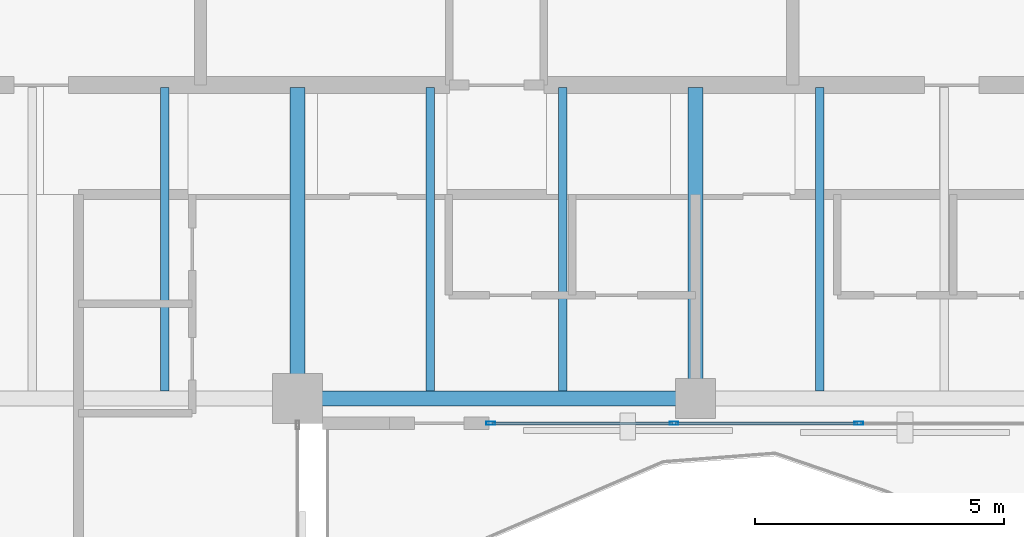
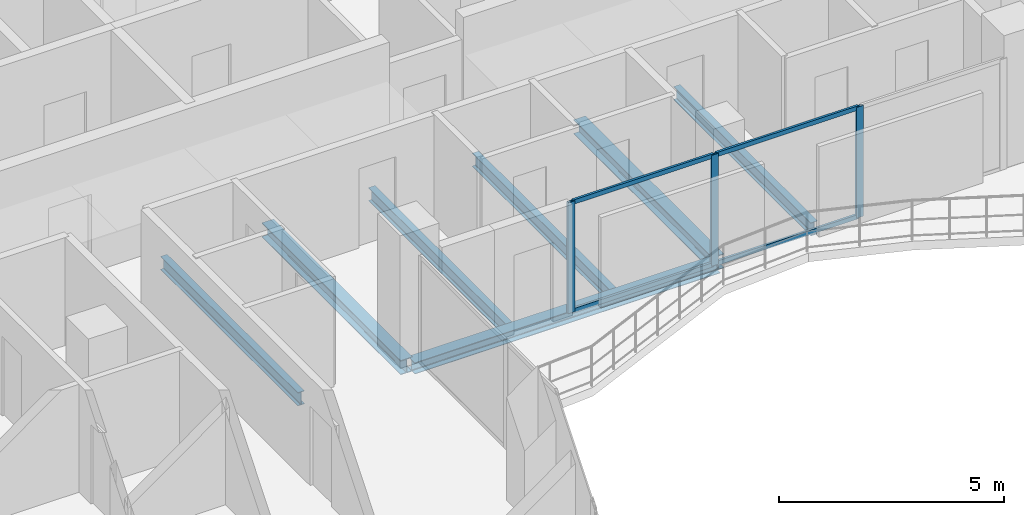
# One storey, part 11 of 24: 7 beams, 7 members, 1 element without a shape of its own.
"""IFC4 building model written with IfcOpenShell, lengths in metres."""

from ifc_helpers import new_model, si_unit, direction, frame, origin, origin_2d, place, context, subcontext, project, spatial, hollow_rectangle, i_section, extrude, material, layer, layer_set, material_profile, profile_set, type_object, element, aggregate, save


model = new_model("IFC4")

# Units and contexts
model_context = context("Model", 3, precision=1e-05, world=origin(), true_north=direction((0.0, 1.0)))
body_context = subcontext(model_context, "Body", "Model", "MODEL_VIEW")
ifc_project = project(units=[si_unit("LENGTHUNIT", "METRE"), si_unit("AREAUNIT", "SQUARE_METRE"), si_unit("VOLUMEUNIT", "CUBIC_METRE"), si_unit("PLANEANGLEUNIT", "RADIAN"), si_unit("MASSUNIT", "GRAM", prefix="KILO")], contexts=[model_context])

# Site, building, storey
site_placement = place(None, origin())
site = spatial("IfcSite", under=ifc_project, at=site_placement, CompositionType="ELEMENT")
building_placement = place(site_placement, origin())
building = spatial("IfcBuilding", under=site, at=building_placement, Name="Catumbela Crestline Tower", CompositionType="ELEMENT")
storey_placement = place(building_placement, frame((0.0, 0.0, 161.4)))
storey = spatial("IfcBuildingStorey", under=building, at=storey_placement, Name="L41", CompositionType="ELEMENT", Elevation=161.4)

# Beams
ifc_material_1 = material(Name="Structural steel S355J2", Category="steel")
ifc_material_profile_1 = material_profile(ifc_material_1, i_section(OverallWidth=0.3, OverallDepth=0.39, WebThickness=0.011, FlangeThickness=0.019, FilletRadius=0.027, at=origin_2d()), Name="HEA 400")
ifc_profile_set_1 = profile_set([ifc_material_profile_1], Name="Structural steel S355J2")
beam_type_1 = type_object("IfcBeamType", Name="BG-HEA400", PredefinedType="BEAM", material=ifc_profile_set_1)
for number, where, z_axis, x_axis, name in (
    (1, (24.0, 24.58, -0.455), (0.0, 1.0, 0.0), (-1.0, 0.0, 0.0), "L41 Beam BM-L41-SNS18"),
    (2, (32.0, 24.58, -0.455), (0.0, 1.0, 0.0), (-1.0, 0.0, 0.0), "L41 Beam BM-L41-SNS19"),
):
    element("IfcBeam", number, at=place(storey_placement, frame(where, z_axis=z_axis, x_axis=x_axis)), inside=storey, type_object=beam_type_1, Name=name, PredefinedType="BEAM", context=body_context, shape_type="SweptSolid", body=[
        extrude(i_section(OverallWidth=0.3, OverallDepth=0.39, WebThickness=0.011, FlangeThickness=0.019, FilletRadius=0.027, at=origin_2d()), origin(), (0.0, 0.0, 1.0), 6.17),
    ])
ifc_material_profile_2 = material_profile(ifc_material_1, i_section(OverallWidth=0.17, OverallDepth=0.36, WebThickness=0.008, FlangeThickness=0.0127, FilletRadius=0.018, at=origin_2d()), Name="IPE 360")
ifc_profile_set_2 = profile_set([ifc_material_profile_2], Name="Structural steel S355J2")
beam_type_2 = type_object("IfcBeamType", Name="BJ-IPE360", PredefinedType="JOIST", material=ifc_profile_set_2)
for number, where, z_axis, x_axis, name in (
    (3, (21.333, 24.647, -0.44), (0.0, 1.0, 0.0), (-1.0, 0.0, 0.0), "L41 Joist JS-L41-SP27"),
    (4, (26.667, 24.647, -0.44), (0.0, 1.0, 0.0), (-1.0, 0.0, 0.0), "L41 Joist JS-L41-SP28"),
    (5, (29.333, 24.647, -0.44), (0.0, 1.0, 0.0), (-1.0, 0.0, 0.0), "L41 Joist JS-L41-SP29"),
    (6, (34.5, 24.647, -0.44), (0.0, 1.0, 0.0), (-1.0, 0.0, 0.0), "L41 Joist JS-L41-SP30"),
):
    element("IfcBeam", number, at=place(storey_placement, frame(where, z_axis=z_axis, x_axis=x_axis)), inside=storey, type_object=beam_type_2, Name=name, PredefinedType="JOIST", context=body_context, shape_type="SweptSolid", body=[
        extrude(i_section(OverallWidth=0.17, OverallDepth=0.36, WebThickness=0.008, FlangeThickness=0.0127, FilletRadius=0.018, at=origin_2d()), origin(), (0.0, 0.0, 1.0), 6.103),
    ])

# Curtain wall, members
ifc_material_2 = material(Name="Aluminium alloy AW-6060-T66", Category="aluminium")
ifc_layer = layer(ifc_material_2, 0.18, Name="Aluminium alloy AW-6060-T66")
ifc_layer_set = layer_set([ifc_layer], Name="Aluminium alloy AW-6060-T66")
curtain_wall_type = type_object("IfcCurtainWallType", Name="CWU-Z3", PredefinedType="USERDEFINED", material=ifc_layer_set)
curtain_wall_placement = place(storey_placement, origin())
curtain_wall = element("IfcCurtainWall", 7, at=curtain_wall_placement, inside=storey, type_object=curtain_wall_type, Name="L41 Unitised Curtain Wall CW-L41-E3S2", ObjectType="UNITISED", PredefinedType="USERDEFINED")
ifc_material_profile_3 = material_profile(ifc_material_2, hollow_rectangle(XDim=0.065, YDim=0.18, WallThickness=0.004, at=origin_2d()), Name="ALU 180x65x4")
ifc_profile_set_3 = profile_set([ifc_material_profile_3], Name="Aluminium alloy AW-6060-T66")
member_type_1 = type_object("IfcMemberType", Name="MUL-180X65", PredefinedType="MULLION", material=ifc_profile_set_3)
member_1_placement = place(storey_placement, frame((27.8825, 24.0, 0.0), z_axis=(0.0, 0.0, 1.0), x_axis=(0.0, 1.0, 0.0)))
member_1 = element("IfcMember", 8, at=member_1_placement, type_object=member_type_1, Name="CWU-Z3 mullion 1", PredefinedType="MULLION", context=body_context, shape_type="SweptSolid", body=[
    extrude(hollow_rectangle(XDim=0.065, YDim=0.18, WallThickness=0.004, at=origin_2d()), origin(), (0.0, 0.0, 1.0), 3.01),
])
member_2_placement = place(storey_placement, frame((31.5667, 24.0, 0.0), z_axis=(0.0, 0.0, 1.0), x_axis=(0.0, 1.0, 0.0)))
member_2 = element("IfcMember", 9, at=member_2_placement, type_object=member_type_1, Name="CWU-Z3 mullion 2", PredefinedType="MULLION", context=body_context, shape_type="SweptSolid", body=[
    extrude(hollow_rectangle(XDim=0.065, YDim=0.18, WallThickness=0.004, at=origin_2d()), origin(), (0.0, 0.0, 1.0), 3.01),
])
member_3_placement = place(storey_placement, frame((35.2833, 24.0, 0.0), z_axis=(0.0, 0.0, 1.0), x_axis=(0.0, 1.0, 0.0)))
member_3 = element("IfcMember", 10, at=member_3_placement, type_object=member_type_1, Name="CWU-Z3 mullion 3", PredefinedType="MULLION", context=body_context, shape_type="SweptSolid", body=[
    extrude(hollow_rectangle(XDim=0.065, YDim=0.18, WallThickness=0.004, at=origin_2d()), origin(), (0.0, 0.0, 1.0), 3.01),
])

# Beam
ifc_material_profile_4 = material_profile(ifc_material_1, i_section(OverallWidth=0.3, OverallDepth=0.31, WebThickness=0.009, FlangeThickness=0.0155, FilletRadius=0.027, at=origin_2d()), Name="HEA 320")
ifc_profile_set_4 = profile_set([ifc_material_profile_4], Name="Structural steel S355J2")
beam_type_3 = type_object("IfcBeamType", Name="BS-HEA320", PredefinedType="SPANDREL", material=ifc_profile_set_4)
beam_placement = place(storey_placement, frame((24.08, 24.5, -0.415), z_axis=(1.0, 0.0, 0.0), x_axis=(0.0, 1.0, 0.0)))
element("IfcBeam", 11, at=beam_placement, inside=storey, type_object=beam_type_3, Name="L41 Spandrel SP-L41-S04", PredefinedType="SPANDREL", context=body_context, shape_type="SweptSolid", body=[
    extrude(i_section(OverallWidth=0.3, OverallDepth=0.31, WebThickness=0.009, FlangeThickness=0.0155, FilletRadius=0.027, at=origin_2d()), origin(), (0.0, 0.0, 1.0), 7.84),
])

# Member
ifc_material_profile_5 = material_profile(ifc_material_2, hollow_rectangle(XDim=0.06, YDim=0.12, WallThickness=0.0035, at=origin_2d()), Name="ALU 120x60x3.5")
ifc_profile_set_5 = profile_set([ifc_material_profile_5], Name="Aluminium alloy AW-6060-T66")
member_type_2 = type_object("IfcMemberType", Name="TRN-120X60", PredefinedType="USERDEFINED", material=ifc_profile_set_5)
member_4_placement = place(storey_placement, frame((27.915, 24.0, 0.03), z_axis=(1.0, 0.0, 0.0), x_axis=(0.0, 1.0, 0.0)))
member_4 = element("IfcMember", 12, at=member_4_placement, type_object=member_type_2, Name="CWU-Z3 transom 1.1", ObjectType="TRANSOM", PredefinedType="USERDEFINED", context=body_context, shape_type="SweptSolid", body=[
    extrude(hollow_rectangle(XDim=0.06, YDim=0.12, WallThickness=0.0035, at=origin_2d()), origin(), (0.0, 0.0, 1.0), 3.6192),
])

member_5_placement = place(storey_placement, frame((27.915, 24.0, 2.98), z_axis=(1.0, 0.0, 0.0), x_axis=(0.0, 1.0, 0.0)))
member_5 = element("IfcMember", 13, at=member_5_placement, type_object=member_type_2, Name="CWU-Z3 transom 1.2", ObjectType="TRANSOM", PredefinedType="USERDEFINED", context=body_context, shape_type="SweptSolid", body=[
    extrude(hollow_rectangle(XDim=0.06, YDim=0.12, WallThickness=0.0035, at=origin_2d()), origin(), (0.0, 0.0, 1.0), 3.6192),
])

member_6_placement = place(storey_placement, frame((31.5992, 24.0, 0.03), z_axis=(1.0, 0.0, 0.0), x_axis=(0.0, 1.0, 0.0)))
member_6 = element("IfcMember", 14, at=member_6_placement, type_object=member_type_2, Name="CWU-Z3 transom 2.1", ObjectType="TRANSOM", PredefinedType="USERDEFINED", context=body_context, shape_type="SweptSolid", body=[
    extrude(hollow_rectangle(XDim=0.06, YDim=0.12, WallThickness=0.0035, at=origin_2d()), origin(), (0.0, 0.0, 1.0), 3.6516),
])

member_7_placement = place(storey_placement, frame((31.5992, 24.0, 2.98), z_axis=(1.0, 0.0, 0.0), x_axis=(0.0, 1.0, 0.0)))
member_7 = element("IfcMember", 15, at=member_7_placement, type_object=member_type_2, Name="CWU-Z3 transom 2.2", ObjectType="TRANSOM", PredefinedType="USERDEFINED", context=body_context, shape_type="SweptSolid", body=[
    extrude(hollow_rectangle(XDim=0.06, YDim=0.12, WallThickness=0.0035, at=origin_2d()), origin(), (0.0, 0.0, 1.0), 3.6516),
])

aggregate(curtain_wall, [member_1, member_2, member_3, member_4, member_5, member_6, member_7])

save(model, "model.ifc")
